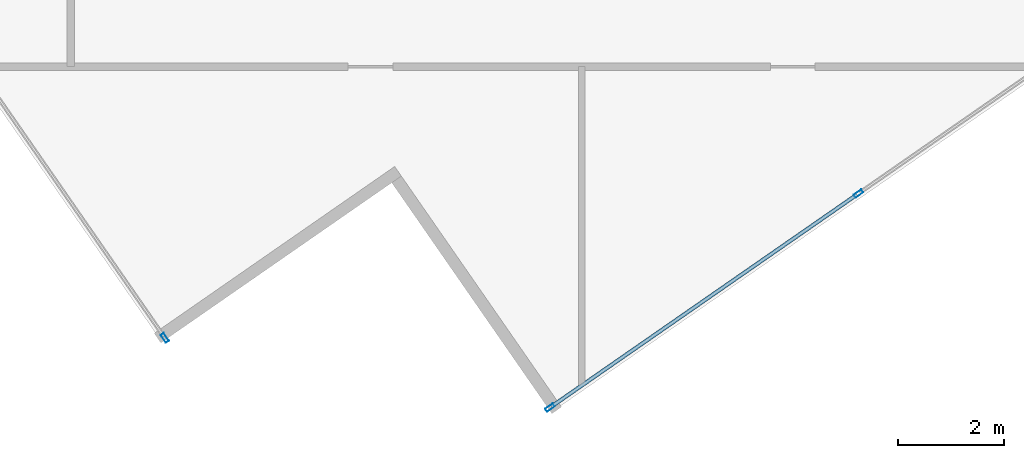
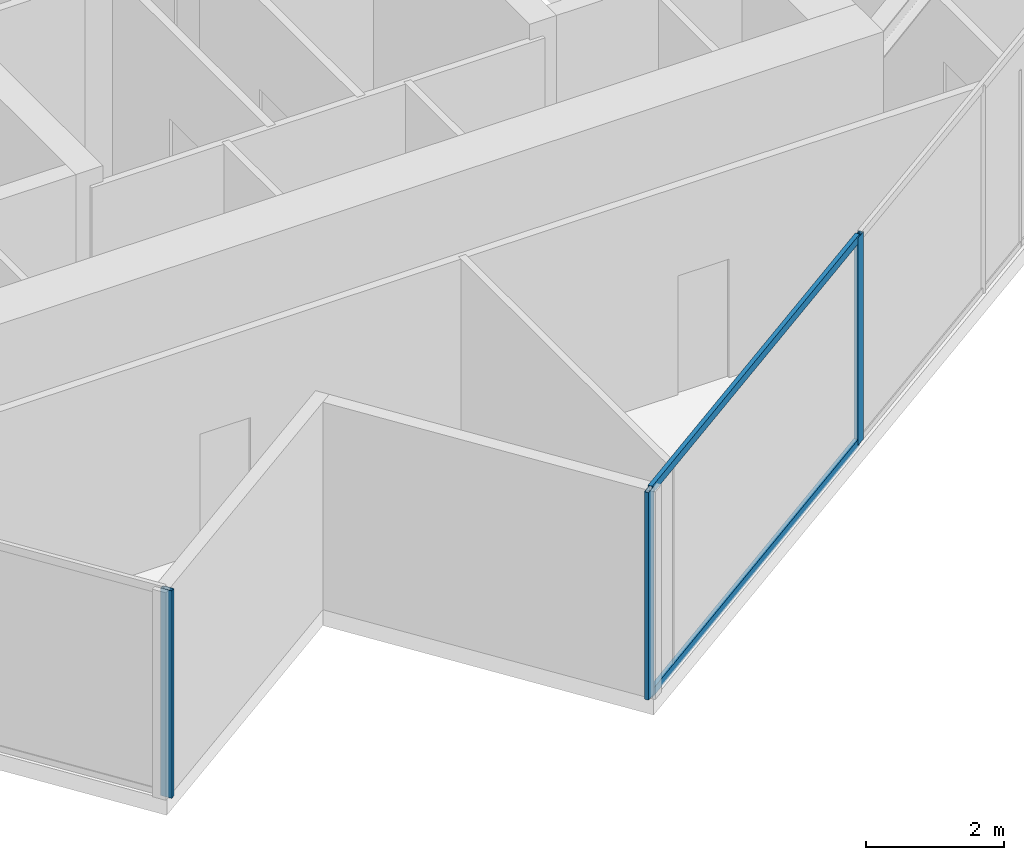
# One storey, part 3 of 21: 5 members, 2 elements without a shape of their own.
"""IFC4 building model written with IfcOpenShell, lengths in metres."""

from ifc_helpers import new_model, si_unit, direction, frame, origin, origin_2d, place, context, subcontext, project, spatial, hollow_rectangle, extrude, source, transform, mapped, material, material_profile, profile_set, type_object, type_shapes, element, aggregate, save


model = new_model("IFC4")

# Units and contexts
model_context = context("Model", 3, precision=1e-05, world=origin(), true_north=direction((0.0, 1.0)))
body_context = subcontext(model_context, "Body", "Model", "MODEL_VIEW")
ifc_project = project(units=[si_unit("LENGTHUNIT", "METRE"), si_unit("AREAUNIT", "SQUARE_METRE"), si_unit("VOLUMEUNIT", "CUBIC_METRE"), si_unit("PLANEANGLEUNIT", "RADIAN"), si_unit("MASSUNIT", "GRAM", prefix="KILO")], contexts=[model_context])

# Site, building, storey
site_placement = place(None, origin())
site = spatial("IfcSite", under=ifc_project, at=site_placement, CompositionType="ELEMENT")
building_placement = place(site_placement, origin())
building = spatial("IfcBuilding", under=site, at=building_placement, Name="Krantzveldt Concourse Tower", CompositionType="ELEMENT")
storey_placement = place(building_placement, frame((0.0, 0.0, 271.35009765625)))
storey = spatial("IfcBuildingStorey", under=building, at=storey_placement, Name="L66", CompositionType="ELEMENT", Elevation=271.35009765625)

# Curtain wall, member
ifc_material = material(Name="Anodised aluminium 6063-T6", Category="aluminium")
curtain_wall_type = type_object("IfcCurtainWallType", Name="CW4", PredefinedType="USERDEFINED", material=ifc_material)
curtain_wall_1_placement = place(storey_placement, origin())
curtain_wall_1 = element("IfcCurtainWall", 1, at=curtain_wall_1_placement, inside=storey, type_object=curtain_wall_type, Name="CW-L66-F08", ObjectType="UNITISED CURTAIN WALL", PredefinedType="USERDEFINED")
ifc_material_profile_1 = material_profile(ifc_material, hollow_rectangle(XDim=0.070068359375, YDim=0.179931640625, WallThickness=0.0048828125, at=origin_2d()), Name="Anodised aluminium 6063-T6", Category="aluminium")
ifc_profile_set_1 = profile_set([ifc_material_profile_1], Name="Anodised aluminium 6063-T6 - ALU-MULL 180x70x5")
member_type_1 = type_object("IfcMemberType", Name="CW-MUL-180", PredefinedType="MULLION", material=ifc_profile_set_1)
shared_shape_1 = source(origin(), body_context, "Body", "SweptSolid", [
    extrude(hollow_rectangle(XDim=0.070068359375, YDim=0.179931640625, WallThickness=0.0048828125, at=origin_2d()), origin(), (0.0, 0.0, 1.0), 3.669921875),
])
type_shapes(member_type_1, [shared_shape_1])
member_1_placement = place(storey_placement, frame((28.1005859375, 3.858642578125, 0.0), z_axis=(0.0, 0.0, 1.0), x_axis=(0.821647031735, 0.569996627395, 0.0)))
member_1 = element("IfcMember", 2, at=member_1_placement, type_object=member_type_1, Name="CW-Z56 mullion 5", PredefinedType="MULLION", context=body_context, shape_type="MappedRepresentation", body=[
    mapped(shared_shape_1, transform((0.0, 0.0, 0.0), x_axis=(1.0, 0.0, 0.0), y_axis=(0.0, 1.0, 0.0), z_axis=(0.0, 0.0, 1.0), scale=1.0)),
])
aggregate(curtain_wall_1, [member_1])

# Curtain wall, members
curtain_wall_2_placement = place(storey_placement, origin())
curtain_wall_2 = element("IfcCurtainWall", 3, at=curtain_wall_2_placement, inside=storey, type_object=curtain_wall_type, Name="CW-L66-F11", ObjectType="UNITISED CURTAIN WALL", PredefinedType="USERDEFINED")
member_2_placement = place(storey_placement, frame((35.39990234375, 2.53857421875, 0.0), z_axis=(0.0, 0.0, 1.0), x_axis=(-0.569996627395, 0.821647031735, 0.0)))
member_2 = element("IfcMember", 4, at=member_2_placement, type_object=member_type_1, Name="CW-Z56 mullion 1", PredefinedType="MULLION", context=body_context, shape_type="MappedRepresentation", body=[
    mapped(shared_shape_1, transform((0.0, 0.0, 0.0), x_axis=(1.0, 0.0, 0.0), y_axis=(0.0, 1.0, 0.0), z_axis=(0.0, 0.0, 1.0), scale=1.0)),
])
member_3_placement = place(storey_placement, frame((41.245849609375, 6.59423828125, 0.0), z_axis=(0.0, 0.0, 1.0), x_axis=(-0.569996627395, 0.821647031735, 0.0)))
member_3 = element("IfcMember", 5, at=member_3_placement, type_object=member_type_1, Name="CW-Z56 mullion 2", PredefinedType="MULLION", context=body_context, shape_type="MappedRepresentation", body=[
    mapped(shared_shape_1, transform((0.0, 0.0, 0.0), x_axis=(1.0, 0.0, 0.0), y_axis=(0.0, 1.0, 0.0), z_axis=(0.0, 0.0, 1.0), scale=1.0)),
])
ifc_material_profile_2 = material_profile(ifc_material, hollow_rectangle(XDim=0.070068359375, YDim=0.139892578125, WallThickness=0.0048828125, at=origin_2d()), Name="Anodised aluminium 6063-T6", Category="aluminium")
ifc_profile_set_2 = profile_set([ifc_material_profile_2], Name="Anodised aluminium 6063-T6 - ALU-TRAN 140x70x5")
member_type_2 = type_object("IfcMemberType", Name="CW-TRN-150", PredefinedType="USERDEFINED", material=ifc_profile_set_2)
shared_shape_2 = source(origin(), body_context, "Body", "SweptSolid", [
    extrude(hollow_rectangle(XDim=0.070068359375, YDim=0.139892578125, WallThickness=0.0048828125, at=origin_2d()), origin(), (0.0, 0.0, 1.0), 7.044921875),
])
type_shapes(member_type_2, [shared_shape_2])
member_4_placement = place(storey_placement, frame((35.4287109375, 2.55859375, 0.034912109375), z_axis=(0.821639123629, 0.570008026718, 0.0), x_axis=(-0.570008026718, 0.821639123629, 0.0)))
member_4 = element("IfcMember", 6, at=member_4_placement, type_object=member_type_2, Name="CW-Z56 transom 1.1", ObjectType="TRANSOM", PredefinedType="USERDEFINED", context=body_context, shape_type="MappedRepresentation", body=[
    mapped(shared_shape_2, transform((0.0, 0.0, 0.0), x_axis=(1.0, 0.0, 0.0), y_axis=(0.0, 1.0, 0.0), z_axis=(0.0, 0.0, 1.0), scale=1.0)),
])
member_5_placement = place(storey_placement, frame((35.4287109375, 2.55859375, 3.635009765625), z_axis=(0.821639123629, 0.570008026718, 0.0), x_axis=(-0.570008026718, 0.821639123629, 0.0)))
member_5 = element("IfcMember", 7, at=member_5_placement, type_object=member_type_2, Name="CW-Z56 transom 1.2", ObjectType="TRANSOM", PredefinedType="USERDEFINED", context=body_context, shape_type="MappedRepresentation", body=[
    mapped(shared_shape_2, transform((0.0, 0.0, 0.0), x_axis=(1.0, 0.0, 0.0), y_axis=(0.0, 1.0, 0.0), z_axis=(0.0, 0.0, 1.0), scale=1.0)),
])
aggregate(curtain_wall_2, [member_2, member_3, member_4, member_5])

save(model, "model.ifc")
